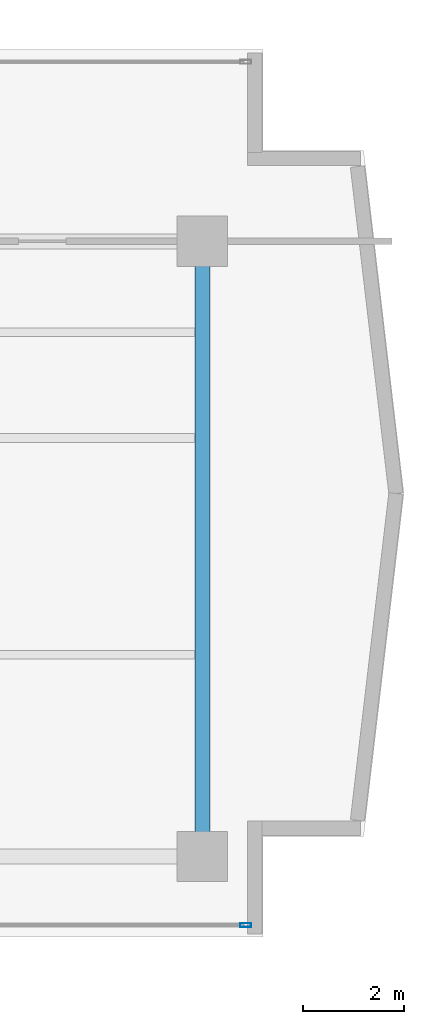
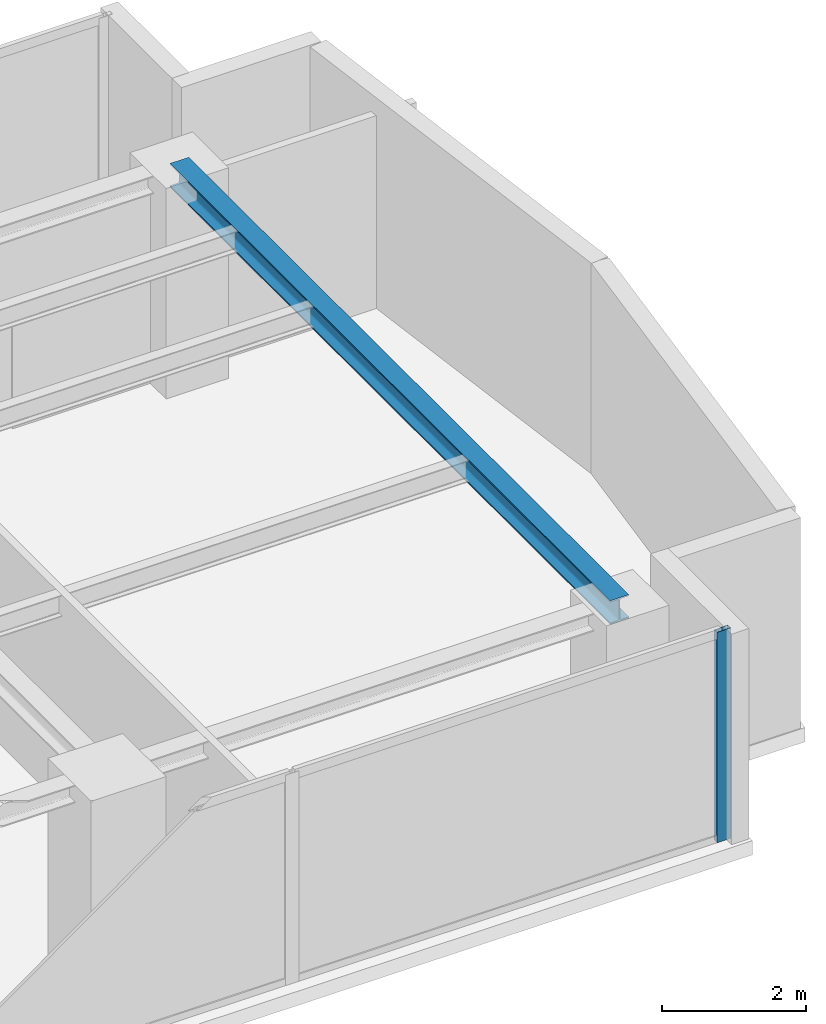
# One storey, part 13 of 27: 1 beam, 1 member, 1 element without a shape of its own.
"""IFC4 building model written with IfcOpenShell, lengths in metres."""

from ifc_helpers import new_model, si_unit, direction, frame, origin, origin_with_axes, origin_2d, place, context, subcontext, project, spatial, hollow_rectangle, i_section, extrude, source, transform, mapped, material, layer, layer_set, material_profile, profile_set, type_object, element, aggregate, save


model = new_model("IFC4")

# Units and contexts
model_context = context("Model", 3, precision=1e-05, world=origin(), true_north=direction((0.0, 1.0)))
body_context = subcontext(model_context, "Body", "Model", "MODEL_VIEW")
ifc_project = project(units=[si_unit("LENGTHUNIT", "METRE"), si_unit("AREAUNIT", "SQUARE_METRE"), si_unit("VOLUMEUNIT", "CUBIC_METRE"), si_unit("PLANEANGLEUNIT", "RADIAN"), si_unit("MASSUNIT", "GRAM", prefix="KILO")], contexts=[model_context])

# Site, building, storey
site_placement = place(None, origin())
site = spatial("IfcSite", under=ifc_project, at=site_placement, CompositionType="ELEMENT")
building_placement = place(site_placement, origin())
building = spatial("IfcBuilding", under=site, at=building_placement, Name="Kolvaren Waterfront Exchange", CompositionType="ELEMENT")
storey_placement = place(building_placement, frame((0.0, 0.0, 191.800048828125)))
storey = spatial("IfcBuildingStorey", under=building, at=storey_placement, Name="L49", CompositionType="ELEMENT", Elevation=191.800048828125)

# Beam
ifc_material_1 = material(Name="Steel S355", Category="steel")
ifc_material_profile_1 = material_profile(ifc_material_1, i_section(OverallWidth=0.300048828125, OverallDepth=0.39990234375, WebThickness=0.013427734375, FlangeThickness=0.02392578125, FilletRadius=0.027099609375, at=origin_2d()), Name="HEB400")
ifc_profile_set_1 = profile_set([ifc_material_profile_1], Name="Steel S355")
beam_type = type_object("IfcBeamType", Name="STR-BM-HEB400", PredefinedType="BEAM", material=ifc_profile_set_1)
beam_placement = place(storey_placement, frame((53.800048828125, 5.199951171875, 3.35986328125), z_axis=(0.0, 1.0, 0.0), x_axis=(-1.0, 0.0, 0.0)))
element("IfcBeam", 1, at=beam_placement, inside=storey, type_object=beam_type, Name="L49 east-arm transverse girder X53", PredefinedType="BEAM", context=body_context, shape_type="SweptSolid", body=[
    extrude(i_section(OverallWidth=0.300048828125, OverallDepth=0.39990234375, WebThickness=0.013427734375, FlangeThickness=0.02392578125, FilletRadius=0.027099609375, at=origin_2d()), origin(), (0.0, 0.0, 1.0), 12.199951171875),
])

# Curtain wall, member
ifc_material_2 = material(Name="Anodised bronze aluminium 6063-T6", Category="aluminium")
ifc_layer = layer(ifc_material_2, 0.219970703125, Name="Anodised bronze aluminium 6063-T6")
ifc_layer_set = layer_set([ifc_layer], Name="Anodised bronze aluminium 6063-T6")
curtain_wall_type = type_object("IfcCurtainWallType", Name="ARC-CW-SYS1", PredefinedType="USERDEFINED", material=ifc_layer_set)
curtain_wall_placement = place(storey_placement, origin())
curtain_wall = element("IfcCurtainWall", 2, at=curtain_wall_placement, inside=storey, type_object=curtain_wall_type, Name="L49 stick curtain wall CW1 (CW-L49-S)", ObjectType="STICK CURTAIN WALL", PredefinedType="USERDEFINED")
ifc_material_3 = material(Name="Anodised aluminium 6063-T6", Category="aluminium")
ifc_material_profile_2 = material_profile(ifc_material_3, hollow_rectangle(XDim=0.080078125, YDim=0.219970703125, WallThickness=0.0048828125, at=origin_2d()), Name="ALU-MUL-220x80x5")
ifc_profile_set_2 = profile_set([ifc_material_profile_2], Name="Anodised aluminium 6063-T6")
member_type = type_object("IfcMemberType", Name="ARC-CWM-220", PredefinedType="MULLION", material=ifc_profile_set_2)
shared_shape = source(origin_with_axes(), body_context, "Body", "SweptSolid", [
    extrude(hollow_rectangle(XDim=0.080078125, YDim=0.219970703125, WallThickness=0.0048828125, at=origin_2d()), origin(), (0.0, 0.0, 1.0), 3.56005859375),
])
member_placement = place(storey_placement, frame((54.659912109375, 3.840087890625, 0.0), z_axis=(0.0, 0.0, 1.0), x_axis=(0.0, 1.0, 0.0)))
member = element("IfcMember", 3, at=member_placement, type_object=member_type, Name="CW1 mullion 8", PredefinedType="MULLION", context=body_context, shape_type="MappedRepresentation", body=[
    mapped(shared_shape, transform((0.0, 0.0, 0.0), x_axis=(1.0, 0.0, 0.0), y_axis=(0.0, 1.0, 0.0), z_axis=(0.0, 0.0, 1.0), scale=1.0)),
])
aggregate(curtain_wall, [member])

save(model, "model.ifc")
